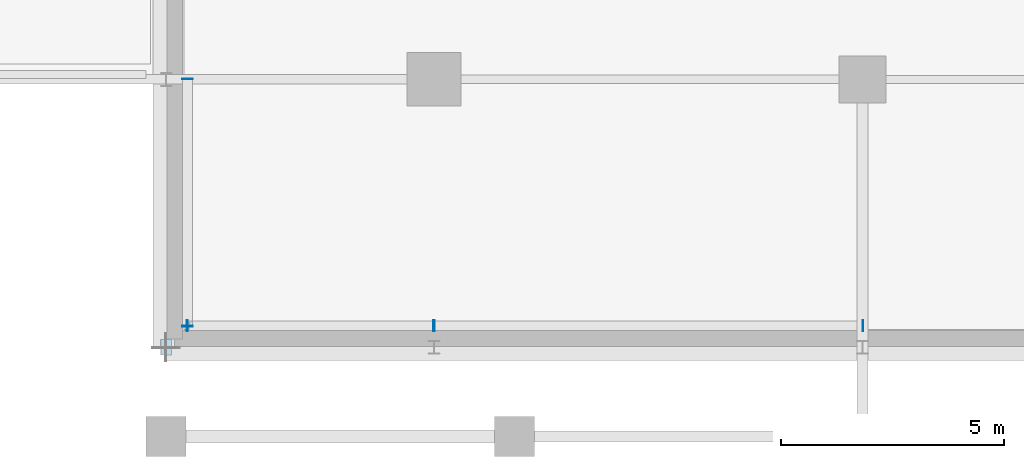
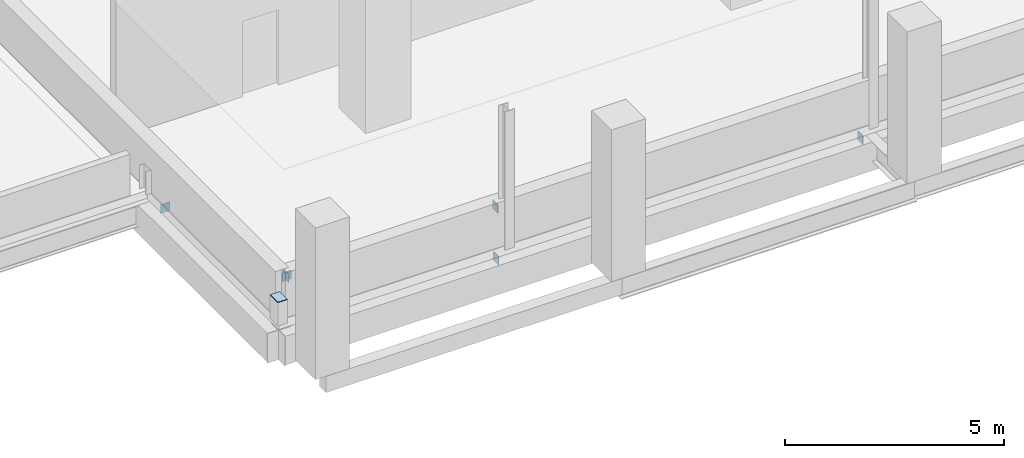
# One storey, part 62 of 85: 7 plates.
"""IFC4 building model written with IfcOpenShell, lengths in metres."""

from ifc_helpers import new_model, si_unit, derived_unit, direction, frame, origin, origin_2d, place, context, subcontext, project, spatial, rectangle, extrude, material, layer, layer_set, type_object, element, save


model = new_model("IFC4")

# Units and contexts
model_context = context("Model", 3, precision=1e-05, world=origin(), true_north=direction((0.0, 1.0)))
body_context = subcontext(model_context, "Body", "Model", "MODEL_VIEW")
ifc_project = project(units=[si_unit("LENGTHUNIT", "METRE"), si_unit("AREAUNIT", "SQUARE_METRE"), si_unit("VOLUMEUNIT", "CUBIC_METRE"), si_unit("PLANEANGLEUNIT", "RADIAN"), si_unit("MASSUNIT", "GRAM", prefix="KILO"), derived_unit("THERMALTRANSMITTANCEUNIT", [(si_unit("POWERUNIT", "WATT"), 1), (si_unit("LENGTHUNIT", "METRE"), -2), (si_unit("THERMODYNAMICTEMPERATUREUNIT", "KELVIN"), -1)])], contexts=[model_context])

# Site, building, storey
site_placement = place(None, origin())
site = spatial("IfcSite", under=ifc_project, at=site_placement, CompositionType="ELEMENT")
building_placement = place(site_placement, origin())
building = spatial("IfcBuilding", under=site, at=building_placement, Name="Nallur Shell Playhouse", CompositionType="ELEMENT")
storey_placement = place(building_placement, frame((0.0, 0.0, 19.800048828125)))
storey = spatial("IfcBuildingStorey", under=building, at=storey_placement, Name="L05", CompositionType="ELEMENT", Elevation=19.800048828125)

# Plates
ifc_material = material(Name="Steel E350", Category="steel")
ifc_layer = layer(ifc_material, 0.02001953125)
ifc_layer_set = layer_set([ifc_layer], Name="Steel E350")
plate_type = type_object("IfcPlateType", Name="PT-ENDCAP-20", PredefinedType="SHEET", material=ifc_layer_set)
plate_placement = place(storey_placement, frame((64.0, 10.0, 0.64990234375), z_axis=(0.0, 0.0, 1.0), x_axis=(1.0, 0.0, 0.0)))
element("IfcPlate", 1, at=plate_placement, inside=storey, type_object=plate_type, Name="Hollow end cap EC-POST-GB-L05-01", PredefinedType="SHEET", context=body_context, shape_type="SweptSolid", body=[
    extrude(rectangle(XDim=0.25, YDim=0.35009765625, at=origin_2d()), origin(), (0.0, 0.0, 1.0), 0.02001953125),
])
for number, where, z_axis, x_axis, name in (
    (2, (64.47998046875, 16.009765625, -0.7724609375), (0.0, 0.0, 1.0), (1.0, 0.0, 0.0), "Hollow end cap EC-GBD-L05-1-A"),
    (3, (64.47998046875, 10.47021484375, 0.6826171875), (0.0, 0.0, 1.0), (1.0, 0.0, 0.0), "Hollow end cap EC-GBD-L05-1-B"),
):
    element("IfcPlate", number, at=place(storey_placement, frame(where, z_axis=z_axis, x_axis=x_axis)), inside=storey, type_object=plate_type, Name=name, PredefinedType="SHEET", context=body_context, shape_type="SweptSolid", body=[
        extrude(rectangle(XDim=0.239990234375, YDim=0.02001953125, at=origin_2d()), origin(), (0.0, 0.0, 1.0), 0.239990234375),
    ])
for number, where, z_axis, x_axis, name in (
    (4, (70.009765625, 10.47998046875, -0.7724609375), (0.0, 0.0, 1.0), (1.0, 0.0, 0.0), "Hollow end cap EC-GBD-L05-5-A"),
    (5, (64.47021484375, 10.47998046875, 0.6826171875), (0.0, 0.0, 1.0), (1.0, 0.0, 0.0), "Hollow end cap EC-GBD-L05-5-B"),
    (6, (79.60986328125, 10.47998046875, -0.771484375), (0.0, 0.0, 1.0), (1.0, 0.0, 0.0), "Hollow end cap EC-GBD-L05-6-A"),
    (7, (69.989990234375, 10.47998046875, 0.681640625), (0.0, 0.0, 1.0), (1.0, 0.0, 0.0), "Hollow end cap EC-GBD-L05-6-B"),
):
    element("IfcPlate", number, at=place(storey_placement, frame(where, z_axis=z_axis, x_axis=x_axis)), inside=storey, type_object=plate_type, Name=name, PredefinedType="SHEET", context=body_context, shape_type="SweptSolid", body=[
        extrude(rectangle(XDim=0.02001953125, YDim=0.239990234375, at=origin_2d()), origin(), (0.0, 0.0, 1.0), 0.239990234375),
    ])

save(model, "model.ifc")
